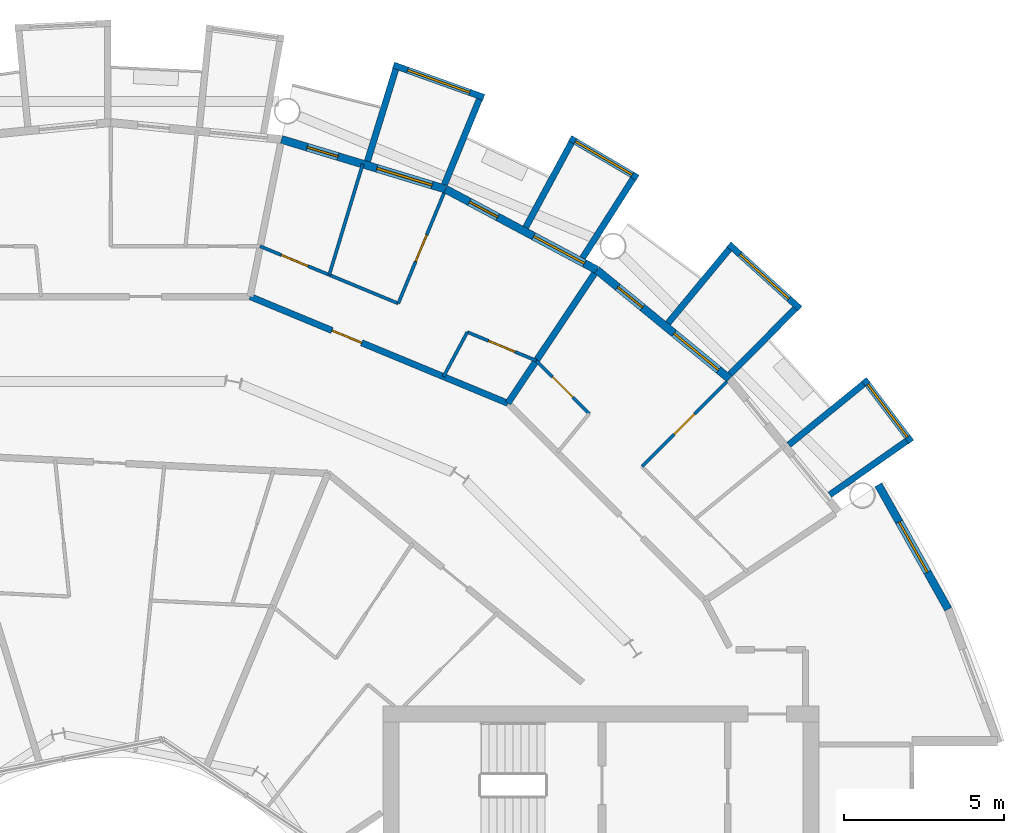
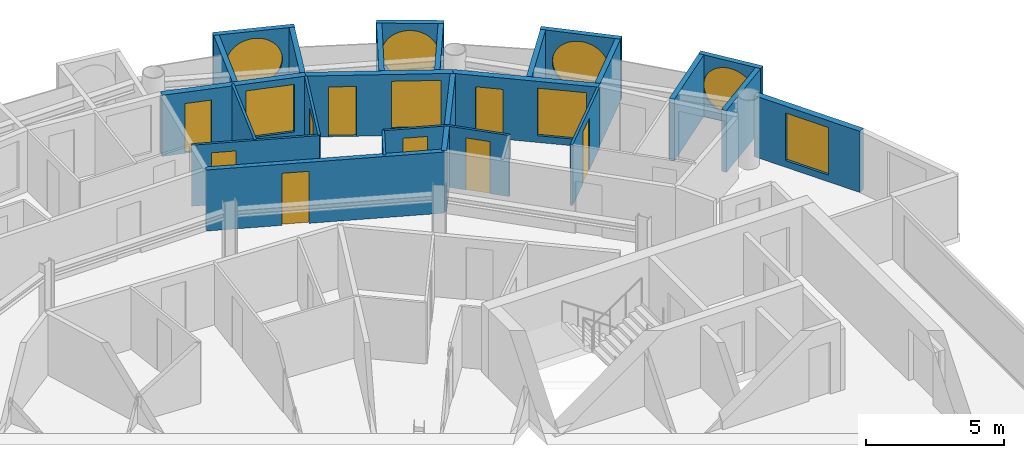
# One storey, part 23 of 27: 25 walls, 9 doors, 8 windows, 17 openings.
"""IFC4 building model written with IfcOpenShell, lengths in metres."""

from ifc_helpers import new_model, si_unit, direction, frame, frame_2d, origin, place, context, subcontext, project, spatial, rectangle, circle, extrude, material, layer, layer_set, type_object, element, fill, save


model = new_model("IFC4")

# Units and contexts
model_context = context("Model", 3, precision=1e-05, world=origin(), true_north=direction((0.0, 1.0)))
body_context = subcontext(model_context, "Body", "Model", "MODEL_VIEW")
ifc_project = project(units=[si_unit("LENGTHUNIT", "METRE"), si_unit("AREAUNIT", "SQUARE_METRE"), si_unit("VOLUMEUNIT", "CUBIC_METRE"), si_unit("PLANEANGLEUNIT", "RADIAN"), si_unit("MASSUNIT", "GRAM", prefix="KILO")], contexts=[model_context])

# Site, building, storey
site_placement = place(None, origin())
site = spatial("IfcSite", under=ifc_project, at=site_placement, CompositionType="ELEMENT")
building_placement = place(site_placement, origin())
building = spatial("IfcBuilding", under=site, at=building_placement, Name="Maasbend Ring Residences", CompositionType="ELEMENT")
storey_placement = place(building_placement, frame((0.0, 0.0, 167.699951171875)))
storey = spatial("IfcBuildingStorey", under=building, at=storey_placement, Name="L48", CompositionType="ELEMENT", Elevation=167.699951171875)

# Wall, opening, door
ifc_material_1 = material(Name="Concrete C30/37", Category="concrete")
ifc_layer_1 = layer(ifc_material_1, 0.199951171875)
ifc_layer_set_1 = layer_set([ifc_layer_1], Name="Concrete C30/37")
wall_type_1 = type_object("IfcWallType", Name="CORRIDOR WALL 200 CONCRETE", PredefinedType="PARTITIONING", material=ifc_layer_set_1)
wall_1_placement = place(storey_placement, frame((4.346923828125, 21.8720703125, 0.0), z_axis=(0.0, 0.0, 1.0), x_axis=(0.923921124994, -0.382583003792, 0.0)))
wall_1 = element("IfcWall", 1, at=wall_1_placement, inside=storey, type_object=wall_type_1, Name="U-L48-w112", PredefinedType="PARTITIONING", context=body_context, shape_type="SweptSolid", body=[
    extrude(rectangle(XDim=8.7041015625, YDim=0.199951171875, at=frame_2d((4.35205078125, 0.0))), origin(), (0.0, 0.0, 1.0), 2.699951171875),
])
opening_1_placement = place(wall_1_placement, frame((2.76708984375, 0.0, 0.0)))
opening_1 = element("IfcOpeningElement", 2, at=opening_1_placement, cuts=wall_1, Name="Opening D-4805", PredefinedType="OPENING", context=body_context, shape_type="SweptSolid", body=[
    extrude(rectangle(XDim=1.0, YDim=2.300048828125, at=frame_2d((0.5, 1.14990234375))), frame((0.0, 0.10986328125, 0.0), z_axis=(0.0, -1.0, 0.0), x_axis=(1.0, 0.0, 0.0)), (0.0, 0.0, 1.0), 0.219970703125),
])
ifc_material_2 = material(Name="Timber, fire-rated, painted", Category="wood")
door_type_1 = type_object("IfcDoorType", Name="FLAT ENTRANCE DOOR 1000 X 2300 FIRE-RATED", OperationType="NOTDEFINED", PredefinedType="DOOR", material=ifc_material_2)
door_1_placement = place(opening_1_placement, origin())
door_1 = element("IfcDoor", 3, at=door_1_placement, inside=storey, type_object=door_type_1, Name="D-4805", OperationType="SINGLE_SWING_LEFT", OverallHeight=2.300048828125, OverallWidth=1.0, PredefinedType="DOOR", context=body_context, shape_type="SweptSolid", body=[
    extrude(rectangle(XDim=1.0, YDim=2.300048828125, at=frame_2d((0.5, 1.14990234375))), frame((0.0, 0.02490234375, 0.0), z_axis=(0.0, -1.0, 0.0), x_axis=(1.0, 0.0, 0.0)), (0.0, 0.0, 1.0), 0.050048828125),
])
fill(opening_1, door_1)

# Wall, opening, window
ifc_material_3 = material(Name="Pale anodised aluminium panel", Category="aluminium")
ifc_layer_2 = layer(ifc_material_3, 0.199951171875)
ifc_layer_set_2 = layer_set([ifc_layer_2], Name="EW-BOX")
wall_type_2 = type_object("IfcWallType", Name="EW-BOX", PredefinedType="SOLIDWALL", material=ifc_layer_set_2)
wall_2_placement = place(storey_placement, frame((24.971923828125, 17.3369140625, -0.030029296875), z_axis=(0.0, 0.0, 1.0), x_axis=(-0.602806268067, 0.797887588059, 0.0)))
wall_2 = element("IfcWall", 4, at=wall_2_placement, inside=storey, type_object=wall_type_2, Name="Box front N01", PredefinedType="SOLIDWALL", context=body_context, shape_type="SweptSolid", body=[
    extrude(rectangle(XDim=2.446533203125, YDim=0.199951171875, at=frame_2d((1.22314453125, 0.0))), origin(), (0.0, 0.0, 1.0), 2.72998046875),
])
opening_2_placement = place(wall_2_placement, frame((0.182861328125, 0.0, 0.330078125)))
opening_2 = element("IfcOpeningElement", 5, at=opening_2_placement, cuts=wall_2, Name="Opening W-RD", PredefinedType="OPENING", context=body_context, shape_type="SweptSolid", body=[
    extrude(circle(Radius=1.0400390625, at=frame_2d((1.0400390625, 1.0400390625))), frame((0.0, 0.10986328125, 0.0), z_axis=(0.0, -1.0, 0.0), x_axis=(1.0, 0.0, 0.0)), (0.0, 0.0, 1.0), 0.219970703125),
])
ifc_material_4 = material(Name="Aluminium and clear glass", Category="aluminium")
window_type_1 = type_object("IfcWindowType", Name="W-RD", PartitioningType="SINGLE_PANEL", PredefinedType="WINDOW", material=ifc_material_4)
window_1_placement = place(opening_2_placement, origin())
window_1 = element("IfcWindow", 6, at=window_1_placement, inside=storey, type_object=window_type_1, Name="Round window N01", OverallHeight=2.080078125, OverallWidth=2.080078125, PartitioningType="SINGLE_PANEL", PredefinedType="WINDOW", context=body_context, shape_type="SweptSolid", body=[
    extrude(circle(Radius=1.0400390625, at=frame_2d((1.0400390625, 1.0400390625))), frame((0.0, 0.030029296875, 0.0), z_axis=(0.0, -1.0, 0.0), x_axis=(1.0, 0.0, 0.0)), (0.0, 0.0, 1.0), 0.06005859375),
])
fill(opening_2, window_1)

# Walls
wall_3_placement = place(storey_placement, frame((22.43310546875, 15.68798828125, -0.030029296875), z_axis=(0.0, 0.0, 1.0), x_axis=(0.819373043115, 0.573260687834, 0.0)))
element("IfcWall", 7, at=wall_3_placement, inside=storey, type_object=wall_type_2, Name="Box side wall N01 left", PredefinedType="SOLIDWALL", context=body_context, shape_type="SweptSolid", body=[
    extrude(rectangle(XDim=2.92529296875, YDim=0.199951171875, at=frame_2d((1.462646484375, 0.0))), origin(), (0.0, 0.0, 1.0), 2.72998046875),
])
wall_4_placement = place(storey_placement, frame((21.155029296875, 17.24609375, -0.030029296875), z_axis=(0.0, 0.0, 1.0), x_axis=(0.775179004516, 0.631741648902, 0.0)))
element("IfcWall", 8, at=wall_4_placement, inside=storey, type_object=wall_type_2, Name="Box side wall N01 right", PredefinedType="SOLIDWALL", context=body_context, shape_type="SweptSolid", body=[
    extrude(rectangle(XDim=3.005859375, YDim=0.199951171875, at=frame_2d((1.5029296875, 0.0))), origin(), (0.0, 0.0, 1.0), 2.72998046875),
])

# Wall, opening, window
wall_5_placement = place(storey_placement, frame((21.5, 21.492919921875, -0.030029296875), z_axis=(0.0, 0.0, 1.0), x_axis=(-0.740998365753, 0.671506829416, 0.0)))
wall_5 = element("IfcWall", 9, at=wall_5_placement, inside=storey, type_object=wall_type_2, Name="Box front N03", PredefinedType="SOLIDWALL", context=body_context, shape_type="SweptSolid", body=[
    extrude(rectangle(XDim=2.9931640625, YDim=0.199951171875, at=frame_2d((1.49658203125, 0.0))), origin(), (0.0, 0.0, 1.0), 2.72998046875),
])
opening_3_placement = place(wall_5_placement, frame((0.45654296875, 0.0, 0.330078125)))
opening_3 = element("IfcOpeningElement", 10, at=opening_3_placement, cuts=wall_5, Name="Opening W-RD", PredefinedType="OPENING", context=body_context, shape_type="SweptSolid", body=[
    extrude(circle(Radius=1.0400390625, at=frame_2d((1.0400390625, 1.0400390625))), frame((0.0, 0.10986328125, 0.0), z_axis=(0.0, -1.0, 0.0), x_axis=(1.0, 0.0, 0.0)), (0.0, 0.0, 1.0), 0.219970703125),
])
window_2_placement = place(opening_3_placement, origin())
window_2 = element("IfcWindow", 11, at=window_2_placement, inside=storey, type_object=window_type_1, Name="Round window N03", OverallHeight=2.080078125, OverallWidth=2.080078125, PartitioningType="SINGLE_PANEL", PredefinedType="WINDOW", context=body_context, shape_type="SweptSolid", body=[
    extrude(circle(Radius=1.0400390625, at=frame_2d((1.0400390625, 1.0400390625))), frame((0.0, 0.030029296875, 0.0), z_axis=(0.0, -1.0, 0.0), x_axis=(1.0, 0.0, 0.0)), (0.0, 0.0, 1.0), 0.06005859375),
])
fill(opening_3, window_2)

# Walls
wall_6_placement = place(storey_placement, frame((19.322998046875, 19.449951171875, -0.030029296875), z_axis=(0.0, 0.0, 1.0), x_axis=(0.704476739375, 0.709727076896, 0.0)))
element("IfcWall", 12, at=wall_6_placement, inside=storey, type_object=wall_type_2, Name="Box side wall N03 left", PredefinedType="SOLIDWALL", context=body_context, shape_type="SweptSolid", body=[
    extrude(rectangle(XDim=2.883056640625, YDim=0.199951171875, at=frame_2d((1.44140625, 0.0))), origin(), (0.0, 0.0, 1.0), 2.72998046875),
])
wall_7_placement = place(storey_placement, frame((17.384033203125, 21.041015625, -0.030029296875), z_axis=(0.0, 0.0, 1.0), x_axis=(0.63709551667, 0.770784861449, 0.0)))
element("IfcWall", 13, at=wall_7_placement, inside=storey, type_object=wall_type_2, Name="Box side wall N03 right", PredefinedType="SOLIDWALL", context=body_context, shape_type="SweptSolid", body=[
    extrude(rectangle(XDim=3.005859375, YDim=0.199951171875, at=frame_2d((1.5029296875, 0.0))), origin(), (0.0, 0.0, 1.0), 2.72998046875),
])

# Wall, opening, window
wall_8_placement = place(storey_placement, frame((16.43603515625, 25.573974609375, -0.030029296875), z_axis=(0.0, 0.0, 1.0), x_axis=(-0.862403467503, 0.506221551535, 0.0)))
wall_8 = element("IfcWall", 14, at=wall_8_placement, inside=storey, type_object=wall_type_2, Name="Box front N05", PredefinedType="SOLIDWALL", context=body_context, shape_type="SweptSolid", body=[
    extrude(rectangle(XDim=2.445556640625, YDim=0.199951171875, at=frame_2d((1.22265625, 0.0))), origin(), (0.0, 0.0, 1.0), 2.72998046875),
])
opening_4_placement = place(wall_8_placement, frame((0.182861328125, 0.0, 0.330078125)))
opening_4 = element("IfcOpeningElement", 15, at=opening_4_placement, cuts=wall_8, Name="Opening W-RD", PredefinedType="OPENING", context=body_context, shape_type="SweptSolid", body=[
    extrude(circle(Radius=1.0400390625, at=frame_2d((1.0400390625, 1.0400390625))), frame((0.0, 0.10986328125, 0.0), z_axis=(0.0, -1.0, 0.0), x_axis=(1.0, 0.0, 0.0)), (0.0, 0.0, 1.0), 0.219970703125),
])
window_3_placement = place(opening_4_placement, origin())
window_3 = element("IfcWindow", 16, at=window_3_placement, inside=storey, type_object=window_type_1, Name="Round window N05", OverallHeight=2.080078125, OverallWidth=2.080078125, PartitioningType="SINGLE_PANEL", PredefinedType="WINDOW", context=body_context, shape_type="SweptSolid", body=[
    extrude(circle(Radius=1.0400390625, at=frame_2d((1.0400390625, 1.0400390625))), frame((0.0, 0.030029296875, 0.0), z_axis=(0.0, -1.0, 0.0), x_axis=(1.0, 0.0, 0.0)), (0.0, 0.0, 1.0), 0.06005859375),
])
fill(opening_4, window_3)

# Walls
wall_9_placement = place(storey_placement, frame((14.721923828125, 23.0791015625, -0.030029296875), z_axis=(0.0, 0.0, 1.0), x_axis=(0.537572179146, 0.843217737129, 0.0)))
element("IfcWall", 17, at=wall_9_placement, inside=storey, type_object=wall_type_2, Name="Box side wall N05 left", PredefinedType="SOLIDWALL", context=body_context, shape_type="SweptSolid", body=[
    extrude(rectangle(XDim=2.92431640625, YDim=0.199951171875, at=frame_2d((1.462158203125, 0.0))), origin(), (0.0, 0.0, 1.0), 2.72998046875),
])
wall_10_placement = place(storey_placement, frame((12.945068359375, 24.029052734375, -0.030029296875), z_axis=(0.0, 0.0, 1.0), x_axis=(0.474424310775, 0.88029629861, 0.0)))
element("IfcWall", 18, at=wall_10_placement, inside=storey, type_object=wall_type_2, Name="Box side wall N05 right", PredefinedType="SOLIDWALL", context=body_context, shape_type="SweptSolid", body=[
    extrude(rectangle(XDim=3.005859375, YDim=0.199951171875, at=frame_2d((1.5029296875, 0.0))), origin(), (0.0, 0.0, 1.0), 2.72998046875),
])

# Wall, opening, window
wall_11_placement = place(storey_placement, frame((11.637939453125, 28.083984375, -0.030029296875), z_axis=(0.0, 0.0, 1.0), x_axis=(-0.941461077774, 0.337121697664, 0.0)))
wall_11 = element("IfcWall", 19, at=wall_11_placement, inside=storey, type_object=wall_type_2, Name="Box front N07", PredefinedType="SOLIDWALL", context=body_context, shape_type="SweptSolid", body=[
    extrude(rectangle(XDim=2.9931640625, YDim=0.199951171875, at=frame_2d((1.49658203125, 0.0))), origin(), (0.0, 0.0, 1.0), 2.72998046875),
])
opening_5_placement = place(wall_11_placement, frame((0.45654296875, 0.0, 0.330078125)))
opening_5 = element("IfcOpeningElement", 20, at=opening_5_placement, cuts=wall_11, Name="Opening W-RD", PredefinedType="OPENING", context=body_context, shape_type="SweptSolid", body=[
    extrude(circle(Radius=1.0400390625, at=frame_2d((1.0400390625, 1.0400390625))), frame((0.0, 0.10986328125, 0.0), z_axis=(0.0, -1.0, 0.0), x_axis=(1.0, 0.0, 0.0)), (0.0, 0.0, 1.0), 0.219970703125),
])
window_4_placement = place(opening_5_placement, origin())
window_4 = element("IfcWindow", 21, at=window_4_placement, inside=storey, type_object=window_type_1, Name="Round window N07", OverallHeight=2.080078125, OverallWidth=2.080078125, PartitioningType="SINGLE_PANEL", PredefinedType="WINDOW", context=body_context, shape_type="SweptSolid", body=[
    extrude(circle(Radius=1.0400390625, at=frame_2d((1.0400390625, 1.0400390625))), frame((0.0, 0.030029296875, 0.0), z_axis=(0.0, -1.0, 0.0), x_axis=(1.0, 0.0, 0.0)), (0.0, 0.0, 1.0), 0.06005859375),
])
fill(opening_5, window_4)

# Walls
wall_12_placement = place(storey_placement, frame((10.408935546875, 25.364013671875, -0.030029296875), z_axis=(0.0, 0.0, 1.0), x_axis=(0.379509886562, 0.925187681501, 0.0)))
element("IfcWall", 22, at=wall_12_placement, inside=storey, type_object=wall_type_2, Name="Box side wall N07 left", PredefinedType="SOLIDWALL", context=body_context, shape_type="SweptSolid", body=[
    extrude(rectangle(XDim=2.882568359375, YDim=0.199951171875, at=frame_2d((1.44140625, 0.0))), origin(), (0.0, 0.0, 1.0), 2.72998046875),
])
wall_13_placement = place(storey_placement, frame((8.009033203125, 26.092041015625, -0.030029296875), z_axis=(0.0, 0.0, 1.0), x_axis=(0.293406695073, 0.955987715029, 0.0)))
element("IfcWall", 23, at=wall_13_placement, inside=storey, type_object=wall_type_2, Name="Box side wall N07 right", PredefinedType="SOLIDWALL", context=body_context, shape_type="SweptSolid", body=[
    extrude(rectangle(XDim=3.00634765625, YDim=0.199951171875, at=frame_2d((1.503173828125, 0.0))), origin(), (0.0, 0.0, 1.0), 2.72998046875),
])

# Wall, openings, door, window
ifc_material_5 = material(Name="Aluminium clad insulated panel", Category="aluminium")
ifc_layer_3 = layer(ifc_material_5, 0.25)
ifc_layer_set_3 = layer_set([ifc_layer_3], Name="EW-GL")
wall_type_3 = type_object("IfcWallType", Name="EW-GL", PredefinedType="SOLIDWALL", material=ifc_layer_set_3)
wall_14_placement = place(storey_placement, frame((19.303955078125, 19.303955078125, 0.0), z_axis=(0.0, 0.0, 1.0), x_axis=(-0.773019449054, 0.634382322723, 0.0)))
wall_14 = element("IfcWall", 24, at=wall_14_placement, inside=storey, type_object=wall_type_3, Name="External wall N02", PredefinedType="SOLIDWALL", context=body_context, shape_type="SweptSolid", body=[
    extrude(rectangle(XDim=5.351806640625, YDim=0.25, at=frame_2d((2.67578125, 0.0))), origin(), (0.0, 0.0, 1.0), 2.699951171875),
])
opening_6_placement = place(wall_14_placement, frame((0.441162109375, 0.0, 0.300048828125)))
opening_6 = element("IfcOpeningElement", 25, at=opening_6_placement, cuts=wall_14, Name="Opening W-BX", PredefinedType="OPENING", context=body_context, shape_type="SweptSolid", body=[
    extrude(rectangle(XDim=1.800048828125, YDim=2.10009765625, at=frame_2d((0.89990234375, 1.050048828125))), frame((0.0, 0.135009765625, 0.0), z_axis=(0.0, -1.0, 0.0), x_axis=(1.0, 0.0, 0.0)), (0.0, 0.0, 1.0), 0.27001953125),
])
opening_7_placement = place(wall_14_placement, frame((3.510498046875, 0.0, 0.0)))
opening_7 = element("IfcOpeningElement", 26, at=opening_7_placement, cuts=wall_14, Name="Opening D-LG", PredefinedType="OPENING", context=body_context, shape_type="SweptSolid", body=[
    extrude(rectangle(XDim=1.0, YDim=2.199951171875, at=frame_2d((0.5, 1.10009765625))), frame((0.0, 0.135009765625, 0.0), z_axis=(0.0, -1.0, 0.0), x_axis=(1.0, 0.0, 0.0)), (0.0, 0.0, 1.0), 0.27001953125),
])
ifc_material_6 = material(Name="Aluminium and clear glass", Category="aluminium")
door_type_2 = type_object("IfcDoorType", Name="D-LG", OperationType="SINGLE_SWING_LEFT", PredefinedType="DOOR", material=ifc_material_6)
door_2_placement = place(opening_7_placement, origin())
door_2 = element("IfcDoor", 27, at=door_2_placement, inside=storey, type_object=door_type_2, Name="Loggia door N04", OperationType="SINGLE_SWING_LEFT", OverallHeight=2.199951171875, OverallWidth=1.0, PredefinedType="DOOR", context=body_context, shape_type="SweptSolid", body=[
    extrude(rectangle(XDim=1.0, YDim=2.199951171875, at=frame_2d((0.5, 1.10009765625))), frame((0.0, 0.02490234375, 0.0), z_axis=(0.0, -1.0, 0.0), x_axis=(1.0, 0.0, 0.0)), (0.0, 0.0, 1.0), 0.050048828125),
])
fill(opening_7, door_2)
ifc_material_7 = material(Name="Aluminium and clear glass", Category="aluminium")
window_type_2 = type_object("IfcWindowType", Name="W-BX", PartitioningType="DOUBLE_PANEL_VERTICAL", PredefinedType="WINDOW", material=ifc_material_7)
window_5_placement = place(opening_6_placement, origin())
window_5 = element("IfcWindow", 28, at=window_5_placement, inside=storey, type_object=window_type_2, Name="Window N03 room to box", OverallHeight=2.10009765625, OverallWidth=1.800048828125, PartitioningType="SINGLE_PANEL", PredefinedType="WINDOW", context=body_context, shape_type="SweptSolid", body=[
    extrude(rectangle(XDim=1.800048828125, YDim=2.10009765625, at=frame_2d((0.89990234375, 1.050048828125))), frame((0.0, 0.030029296875, 0.0), z_axis=(0.0, -1.0, 0.0), x_axis=(1.0, 0.0, 0.0)), (0.0, 0.0, 1.0), 0.06005859375),
])
fill(opening_6, window_5)

wall_15_placement = place(storey_placement, frame((15.1669921875, 22.698974609375, 0.0), z_axis=(0.0, 0.0, 1.0), x_axis=(-0.881915646801, 0.471407246368, 0.0)))
wall_15 = element("IfcWall", 29, at=wall_15_placement, inside=storey, type_object=wall_type_3, Name="External wall N03", PredefinedType="SOLIDWALL", context=body_context, shape_type="SweptSolid", body=[
    extrude(rectangle(XDim=5.35205078125, YDim=0.25, at=frame_2d((2.676025390625, 0.0))), origin(), (0.0, 0.0, 1.0), 2.699951171875),
])
opening_8_placement = place(wall_15_placement, frame((0.441162109375, 0.0, 0.300048828125)))
opening_8 = element("IfcOpeningElement", 30, at=opening_8_placement, cuts=wall_15, Name="Opening W-BX", PredefinedType="OPENING", context=body_context, shape_type="SweptSolid", body=[
    extrude(rectangle(XDim=1.800048828125, YDim=2.10009765625, at=frame_2d((0.89990234375, 1.050048828125))), frame((0.0, 0.135009765625, 0.0), z_axis=(0.0, -1.0, 0.0), x_axis=(1.0, 0.0, 0.0)), (0.0, 0.0, 1.0), 0.27001953125),
])
opening_9_placement = place(wall_15_placement, frame((3.510498046875, 0.0, 0.0)))
opening_9 = element("IfcOpeningElement", 31, at=opening_9_placement, cuts=wall_15, Name="Opening D-LG", PredefinedType="OPENING", context=body_context, shape_type="SweptSolid", body=[
    extrude(rectangle(XDim=1.0, YDim=2.199951171875, at=frame_2d((0.5, 1.10009765625))), frame((0.0, 0.135009765625, 0.0), z_axis=(0.0, -1.0, 0.0), x_axis=(1.0, 0.0, 0.0)), (0.0, 0.0, 1.0), 0.27001953125),
])
door_3_placement = place(opening_9_placement, origin())
door_3 = element("IfcDoor", 32, at=door_3_placement, inside=storey, type_object=door_type_2, Name="Loggia door N06", OperationType="SINGLE_SWING_LEFT", OverallHeight=2.199951171875, OverallWidth=1.0, PredefinedType="DOOR", context=body_context, shape_type="SweptSolid", body=[
    extrude(rectangle(XDim=1.0, YDim=2.199951171875, at=frame_2d((0.5, 1.10009765625))), frame((0.0, 0.02490234375, 0.0), z_axis=(0.0, -1.0, 0.0), x_axis=(1.0, 0.0, 0.0)), (0.0, 0.0, 1.0), 0.050048828125),
])
fill(opening_9, door_3)
window_6_placement = place(opening_8_placement, origin())
window_6 = element("IfcWindow", 33, at=window_6_placement, inside=storey, type_object=window_type_2, Name="Window N05 room to box", OverallHeight=2.10009765625, OverallWidth=1.800048828125, PartitioningType="SINGLE_PANEL", PredefinedType="WINDOW", context=body_context, shape_type="SweptSolid", body=[
    extrude(rectangle(XDim=1.800048828125, YDim=2.10009765625, at=frame_2d((0.89990234375, 1.050048828125))), frame((0.0, 0.030029296875, 0.0), z_axis=(0.0, -1.0, 0.0), x_axis=(1.0, 0.0, 0.0)), (0.0, 0.0, 1.0), 0.06005859375),
])
fill(opening_8, window_6)

wall_16_placement = place(storey_placement, frame((10.447021484375, 25.221923828125, 0.0), z_axis=(0.0, 0.0, 1.0), x_axis=(-0.956965678721, 0.290201119486, 0.0)))
wall_16 = element("IfcWall", 34, at=wall_16_placement, inside=storey, type_object=wall_type_3, Name="External wall N04", PredefinedType="SOLIDWALL", context=body_context, shape_type="SweptSolid", body=[
    extrude(rectangle(XDim=5.351318359375, YDim=0.25, at=frame_2d((2.67578125, 0.0))), origin(), (0.0, 0.0, 1.0), 2.699951171875),
])
opening_10_placement = place(wall_16_placement, frame((0.441162109375, 0.0, 0.300048828125)))
opening_10 = element("IfcOpeningElement", 35, at=opening_10_placement, cuts=wall_16, Name="Opening W-BX", PredefinedType="OPENING", context=body_context, shape_type="SweptSolid", body=[
    extrude(rectangle(XDim=1.800048828125, YDim=2.10009765625, at=frame_2d((0.89990234375, 1.050048828125))), frame((0.0, 0.135009765625, 0.0), z_axis=(0.0, -1.0, 0.0), x_axis=(1.0, 0.0, 0.0)), (0.0, 0.0, 1.0), 0.27001953125),
])
opening_11_placement = place(wall_16_placement, frame((3.510498046875, 0.0, 0.0)))
opening_11 = element("IfcOpeningElement", 36, at=opening_11_placement, cuts=wall_16, Name="Opening D-LG", PredefinedType="OPENING", context=body_context, shape_type="SweptSolid", body=[
    extrude(rectangle(XDim=1.0, YDim=2.199951171875, at=frame_2d((0.5, 1.10009765625))), frame((0.0, 0.135009765625, 0.0), z_axis=(0.0, -1.0, 0.0), x_axis=(1.0, 0.0, 0.0)), (0.0, 0.0, 1.0), 0.27001953125),
])
door_4_placement = place(opening_11_placement, origin())
door_4 = element("IfcDoor", 37, at=door_4_placement, inside=storey, type_object=door_type_2, Name="Loggia door N08", OperationType="SINGLE_SWING_LEFT", OverallHeight=2.199951171875, OverallWidth=1.0, PredefinedType="DOOR", context=body_context, shape_type="SweptSolid", body=[
    extrude(rectangle(XDim=1.0, YDim=2.199951171875, at=frame_2d((0.5, 1.10009765625))), frame((0.0, 0.02490234375, 0.0), z_axis=(0.0, -1.0, 0.0), x_axis=(1.0, 0.0, 0.0)), (0.0, 0.0, 1.0), 0.050048828125),
])
fill(opening_11, door_4)
window_7_placement = place(opening_10_placement, origin())
window_7 = element("IfcWindow", 38, at=window_7_placement, inside=storey, type_object=window_type_2, Name="Window N07 room to box", OverallHeight=2.10009765625, OverallWidth=1.800048828125, PartitioningType="SINGLE_PANEL", PredefinedType="WINDOW", context=body_context, shape_type="SweptSolid", body=[
    extrude(rectangle(XDim=1.800048828125, YDim=2.10009765625, at=frame_2d((0.89990234375, 1.050048828125))), frame((0.0, 0.030029296875, 0.0), z_axis=(0.0, -1.0, 0.0), x_axis=(1.0, 0.0, 0.0)), (0.0, 0.0, 1.0), 0.06005859375),
])
fill(opening_10, window_7)

# Wall, opening, window
ifc_material_8 = material(Name="Aluminium clad insulated panel", Category="aluminium")
ifc_layer_4 = layer(ifc_material_8, 0.25)
ifc_layer_set_4 = layer_set([ifc_layer_4], Name="EW-HORN")
wall_type_4 = type_object("IfcWallType", Name="EW-HORN", PredefinedType="SOLIDWALL", material=ifc_layer_set_4)
wall_17_placement = place(storey_placement, frame((26.126953125, 12.116943359375, 0.0), z_axis=(0.0, 0.0, 1.0), x_axis=(-0.489696356642, 0.871893042919, 0.0)))
wall_17 = element("IfcWall", 39, at=wall_17_placement, inside=storey, type_object=wall_type_4, Name="Horn wall 1.2", PredefinedType="SOLIDWALL", context=body_context, shape_type="SweptSolid", body=[
    extrude(rectangle(XDim=4.45361328125, YDim=0.25, at=frame_2d((2.226806640625, 0.0))), origin(), (0.0, 0.0, 1.0), 2.699951171875),
])
opening_12_placement = place(wall_17_placement, frame((1.32666015625, 0.0, 0.300048828125)))
opening_12 = element("IfcOpeningElement", 40, at=opening_12_placement, cuts=wall_17, Name="Opening W-BX", PredefinedType="OPENING", context=body_context, shape_type="SweptSolid", body=[
    extrude(rectangle(XDim=1.800048828125, YDim=2.10009765625, at=frame_2d((0.89990234375, 1.050048828125))), frame((0.0, 0.135009765625, 0.0), z_axis=(0.0, -1.0, 0.0), x_axis=(1.0, 0.0, 0.0)), (0.0, 0.0, 1.0), 0.27001953125),
])
window_8_placement = place(opening_12_placement, origin())
window_8 = element("IfcWindow", 41, at=window_8_placement, inside=storey, type_object=window_type_2, Name="Horn window 1.2", OverallHeight=2.10009765625, OverallWidth=1.800048828125, PartitioningType="SINGLE_PANEL", PredefinedType="WINDOW", context=body_context, shape_type="SweptSolid", body=[
    extrude(rectangle(XDim=1.800048828125, YDim=2.10009765625, at=frame_2d((0.89990234375, 1.050048828125))), frame((0.0, 0.030029296875, 0.0), z_axis=(0.0, -1.0, 0.0), x_axis=(1.0, 0.0, 0.0)), (0.0, 0.0, 1.0), 0.06005859375),
])
fill(opening_12, window_8)

# Walls
ifc_material_9 = material(Name="Gypsum board on steel studs", Category="steel")
ifc_layer_5 = layer(ifc_material_9, 0.10009765625)
ifc_layer_set_5 = layer_set([ifc_layer_5], Name="PARTITION 100 GYPSUM")
wall_type_5 = type_object("IfcWallType", Name="PARTITION 100 GYPSUM", PredefinedType="PARTITIONING", material=ifc_layer_set_5)
wall_18_placement = place(storey_placement, frame((10.3798828125, 19.3740234375, 0.0), z_axis=(0.0, 0.0, 1.0), x_axis=(0.472002235476, 0.881597351236, 0.0)))
element("IfcWall", 42, at=wall_18_placement, inside=storey, type_object=wall_type_5, Name="U-L48-w034", PredefinedType="PARTITIONING", context=body_context, shape_type="SweptSolid", body=[
    extrude(rectangle(XDim=1.57666015625, YDim=0.10009765625, at=frame_2d((0.788330078125, 0.0))), origin(), (0.0, 0.0, 1.0), 2.699951171875),
])
wall_19_placement = place(storey_placement, frame((6.81689453125, 22.549072265625, 0.0), z_axis=(0.0, 0.0, 1.0), x_axis=(0.289439829793, 0.957196210256, 0.0)))
element("IfcWall", 43, at=wall_19_placement, inside=storey, type_object=wall_type_5, Name="U-L48-w078", PredefinedType="PARTITIONING", context=body_context, shape_type="SweptSolid", body=[
    extrude(rectangle(XDim=3.61767578125, YDim=0.10009765625, at=frame_2d((1.808837890625, 0.0))), origin(), (0.0, 0.0, 1.0), 2.699951171875),
])

# Wall, opening, door
wall_20_placement = place(storey_placement, frame((8.969970703125, 21.656982421875, 0.0), z_axis=(0.0, 0.0, 1.0), x_axis=(0.382761856702, 0.923847044188, 0.0)))
wall_20 = element("IfcWall", 44, at=wall_20_placement, inside=storey, type_object=wall_type_5, Name="U-L48-w081", PredefinedType="PARTITIONING", context=body_context, shape_type="SweptSolid", body=[
    extrude(rectangle(XDim=3.733154296875, YDim=0.10009765625, at=frame_2d((1.86669921875, 0.0))), origin(), (0.0, 0.0, 1.0), 2.699951171875),
])
opening_13_placement = place(wall_20_placement, frame((1.4169921875, 0.0, 0.0)))
opening_13 = element("IfcOpeningElement", 45, at=opening_13_placement, cuts=wall_20, Name="Opening D-4807", PredefinedType="OPENING", context=body_context, shape_type="SweptSolid", body=[
    extrude(rectangle(XDim=0.89990234375, YDim=2.300048828125, at=frame_2d((0.449951171875, 1.14990234375))), frame((0.0, 0.06005859375, 0.0), z_axis=(0.0, -1.0, 0.0), x_axis=(1.0, 0.0, 0.0)), (0.0, 0.0, 1.0), 0.1201171875),
])
ifc_material_10 = material(Name="Timber, painted", Category="wood")
door_type_3 = type_object("IfcDoorType", Name="INTERNAL DOOR 900 X 2300", OperationType="NOTDEFINED", PredefinedType="DOOR", material=ifc_material_10)
door_5_placement = place(opening_13_placement, origin())
door_5 = element("IfcDoor", 46, at=door_5_placement, inside=storey, type_object=door_type_3, Name="D-4807", OperationType="SINGLE_SWING_LEFT", OverallHeight=2.300048828125, OverallWidth=0.89990234375, PredefinedType="DOOR", context=body_context, shape_type="SweptSolid", body=[
    extrude(rectangle(XDim=0.89990234375, YDim=2.300048828125, at=frame_2d((0.449951171875, 1.14990234375))), frame((0.0, 0.02490234375, 0.0), z_axis=(0.0, -1.0, 0.0), x_axis=(1.0, 0.0, 0.0)), (0.0, 0.0, 1.0), 0.050048828125),
])
fill(opening_13, door_5)

wall_21_placement = place(storey_placement, frame((16.574951171875, 16.574951171875, 0.0), z_axis=(0.0, 0.0, 1.0), x_axis=(0.707106781187, 0.707106781187, 0.0)))
wall_21 = element("IfcWall", 47, at=wall_21_placement, inside=storey, type_object=wall_type_5, Name="U-L48-w089", PredefinedType="PARTITIONING", context=body_context, shape_type="SweptSolid", body=[
    extrude(rectangle(XDim=3.735107421875, YDim=0.10009765625, at=frame_2d((1.86767578125, 0.0))), origin(), (0.0, 0.0, 1.0), 2.699951171875),
])
opening_14_placement = place(wall_21_placement, frame((1.4169921875, 0.0, 0.0)))
opening_14 = element("IfcOpeningElement", 48, at=opening_14_placement, cuts=wall_21, Name="Opening D-4803", PredefinedType="OPENING", context=body_context, shape_type="SweptSolid", body=[
    extrude(rectangle(XDim=0.89990234375, YDim=2.300048828125, at=frame_2d((0.449951171875, 1.14990234375))), frame((0.0, 0.06005859375, 0.0), z_axis=(0.0, -1.0, 0.0), x_axis=(1.0, 0.0, 0.0)), (0.0, 0.0, 1.0), 0.1201171875),
])
door_6_placement = place(opening_14_placement, origin())
door_6 = element("IfcDoor", 49, at=door_6_placement, inside=storey, type_object=door_type_3, Name="D-4803", OperationType="SINGLE_SWING_RIGHT", OverallHeight=2.300048828125, OverallWidth=0.89990234375, PredefinedType="DOOR", context=body_context, shape_type="SweptSolid", body=[
    extrude(rectangle(XDim=0.89990234375, YDim=2.300048828125, at=frame_2d((0.449951171875, 1.14990234375))), frame((0.0, 0.02490234375, 0.0), z_axis=(0.0, -1.0, 0.0), x_axis=(1.0, 0.0, 0.0)), (0.0, 0.0, 1.0), 0.050048828125),
])
fill(opening_14, door_6)

wall_22_placement = place(storey_placement, frame((4.659912109375, 23.44091796875, 0.0), z_axis=(0.0, 0.0, 1.0), x_axis=(0.923920484476, -0.38258455061, 0.0)))
wall_22 = element("IfcWall", 50, at=wall_22_placement, inside=storey, type_object=wall_type_5, Name="U-L48-w122", PredefinedType="PARTITIONING", context=body_context, shape_type="SweptSolid", body=[
    extrude(rectangle(XDim=4.662841796875, YDim=0.10009765625, at=frame_2d((2.33154296875, 0.0))), origin(), (0.0, 0.0, 1.0), 2.699951171875),
])
opening_15_placement = place(wall_22_placement, frame((0.719970703125, 0.0, 0.0)))
opening_15 = element("IfcOpeningElement", 51, at=opening_15_placement, cuts=wall_22, Name="Opening D-4808", PredefinedType="OPENING", context=body_context, shape_type="SweptSolid", body=[
    extrude(rectangle(XDim=0.89990234375, YDim=2.300048828125, at=frame_2d((0.449951171875, 1.14990234375))), frame((0.0, 0.06005859375, 0.0), z_axis=(0.0, -1.0, 0.0), x_axis=(1.0, 0.0, 0.0)), (0.0, 0.0, 1.0), 0.1201171875),
])
door_7_placement = place(opening_15_placement, origin())
door_7 = element("IfcDoor", 52, at=door_7_placement, inside=storey, type_object=door_type_3, Name="D-4808", OperationType="SINGLE_SWING_LEFT", OverallHeight=2.300048828125, OverallWidth=0.89990234375, PredefinedType="DOOR", context=body_context, shape_type="SweptSolid", body=[
    extrude(rectangle(XDim=0.89990234375, YDim=2.300048828125, at=frame_2d((0.449951171875, 1.14990234375))), frame((0.0, 0.02490234375, 0.0), z_axis=(0.0, -1.0, 0.0), x_axis=(1.0, 0.0, 0.0)), (0.0, 0.0, 1.0), 0.050048828125),
])
fill(opening_15, door_7)

wall_23_placement = place(storey_placement, frame((11.1240234375, 20.763916015625, 0.0), z_axis=(0.0, 0.0, 1.0), x_axis=(0.923938991376, -0.382539854414, 0.0)))
wall_23 = element("IfcWall", 53, at=wall_23_placement, inside=storey, type_object=wall_type_5, Name="U-L48-w123", PredefinedType="PARTITIONING", context=body_context, shape_type="SweptSolid", body=[
    extrude(rectangle(XDim=2.331298828125, YDim=0.10009765625, at=frame_2d((1.16552734375, 0.0))), origin(), (0.0, 0.0, 1.0), 2.699951171875),
])
opening_16_placement = place(wall_23_placement, frame((0.716064453125, 0.0, 0.0)))
opening_16 = element("IfcOpeningElement", 54, at=opening_16_placement, cuts=wall_23, Name="Opening D-4806", PredefinedType="OPENING", context=body_context, shape_type="SweptSolid", body=[
    extrude(rectangle(XDim=0.89990234375, YDim=2.300048828125, at=frame_2d((0.449951171875, 1.14990234375))), frame((0.0, 0.06005859375, 0.0), z_axis=(0.0, -1.0, 0.0), x_axis=(1.0, 0.0, 0.0)), (0.0, 0.0, 1.0), 0.1201171875),
])
door_8_placement = place(opening_16_placement, origin())
door_8 = element("IfcDoor", 55, at=door_8_placement, inside=storey, type_object=door_type_3, Name="D-4806", OperationType="SINGLE_SWING_LEFT", OverallHeight=2.300048828125, OverallWidth=0.89990234375, PredefinedType="DOOR", context=body_context, shape_type="SweptSolid", body=[
    extrude(rectangle(XDim=0.89990234375, YDim=2.300048828125, at=frame_2d((0.449951171875, 1.14990234375))), frame((0.0, 0.02490234375, 0.0), z_axis=(0.0, -1.0, 0.0), x_axis=(1.0, 0.0, 0.0)), (0.0, 0.0, 1.0), 0.050048828125),
])
fill(opening_16, door_8)

wall_24_placement = place(storey_placement, frame((13.282958984375, 19.866943359375, 0.0), z_axis=(0.0, 0.0, 1.0), x_axis=(0.707106781187, -0.707106781187, 0.0)))
wall_24 = element("IfcWall", 56, at=wall_24_placement, inside=storey, type_object=wall_type_5, Name="U-L48-w124", PredefinedType="PARTITIONING", context=body_context, shape_type="SweptSolid", body=[
    extrude(rectangle(XDim=2.33203125, YDim=0.10009765625, at=frame_2d((1.166015625, 0.0))), origin(), (0.0, 0.0, 1.0), 2.699951171875),
])
opening_17_placement = place(wall_24_placement, frame((0.708984375, 0.0, 0.0)))
opening_17 = element("IfcOpeningElement", 57, at=opening_17_placement, cuts=wall_24, Name="Opening D-4802", PredefinedType="OPENING", context=body_context, shape_type="SweptSolid", body=[
    extrude(rectangle(XDim=0.89990234375, YDim=2.300048828125, at=frame_2d((0.449951171875, 1.14990234375))), frame((0.0, 0.06005859375, 0.0), z_axis=(0.0, -1.0, 0.0), x_axis=(1.0, 0.0, 0.0)), (0.0, 0.0, 1.0), 0.1201171875),
])
door_9_placement = place(opening_17_placement, origin())
door_9 = element("IfcDoor", 58, at=door_9_placement, inside=storey, type_object=door_type_3, Name="D-4802", OperationType="SINGLE_SWING_LEFT", OverallHeight=2.300048828125, OverallWidth=0.89990234375, PredefinedType="DOOR", context=body_context, shape_type="SweptSolid", body=[
    extrude(rectangle(XDim=0.89990234375, YDim=2.300048828125, at=frame_2d((0.449951171875, 1.14990234375))), frame((0.0, 0.02490234375, 0.0), z_axis=(0.0, -1.0, 0.0), x_axis=(1.0, 0.0, 0.0)), (0.0, 0.0, 1.0), 0.050048828125),
])
fill(opening_17, door_9)

# Wall
ifc_material_11 = material(Name="Concrete C30/37", Category="concrete")
ifc_layer_6 = layer(ifc_material_11, 0.199951171875)
ifc_layer_set_6 = layer_set([ifc_layer_6], Name="Concrete C30/37")
wall_type_6 = type_object("IfcWallType", Name="PARTY WALL 200 CONCRETE", PredefinedType="PARTITIONING", material=ifc_layer_set_6)
wall_25_placement = place(storey_placement, frame((12.387939453125, 18.54296875, 0.0), z_axis=(0.0, 0.0, 1.0), x_axis=(0.55555521993, 0.831479643532, 0.0)))
element("IfcWall", 59, at=wall_25_placement, inside=storey, type_object=wall_type_6, Name="U-L48-w084", PredefinedType="PARTITIONING", context=body_context, shape_type="SweptSolid", body=[
    extrude(rectangle(XDim=4.87451171875, YDim=0.199951171875, at=frame_2d((2.437255859375, 0.0))), origin(), (0.0, 0.0, 1.0), 2.699951171875),
])

save(model, "model.ifc")
